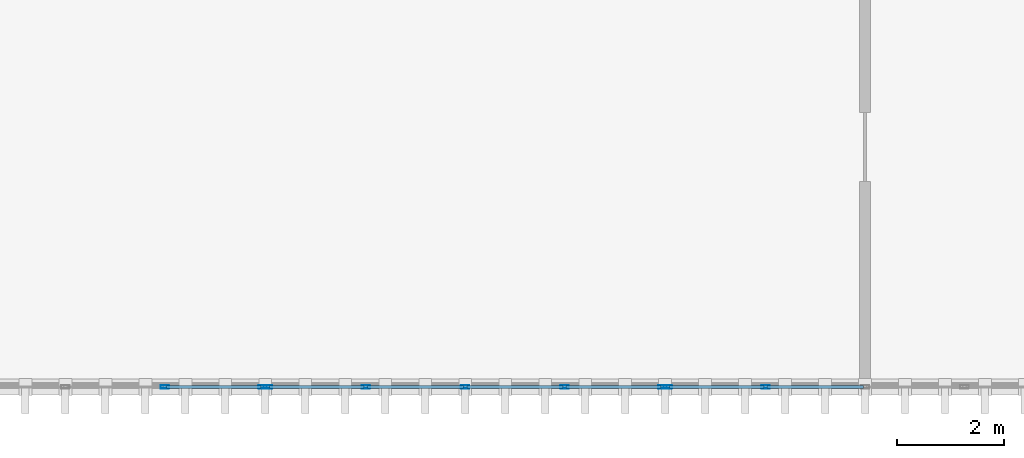
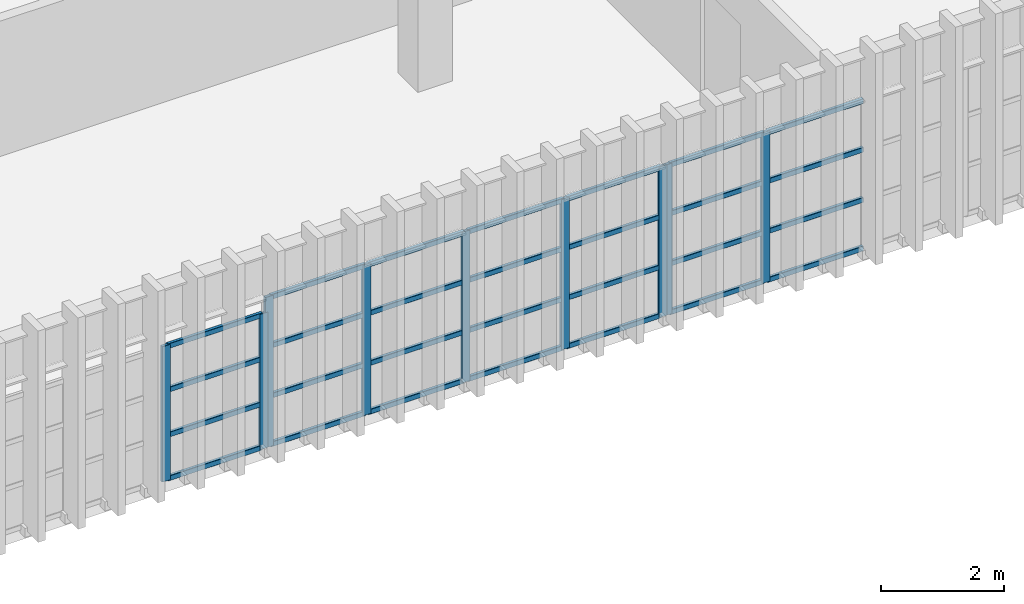
# One storey, part 10 of 51: 37 members, 3 elements without a shape of their own.
"""IFC4 building model written with IfcOpenShell, lengths in metres."""

from ifc_helpers import new_model, si_unit, direction, frame, origin, origin_2d, place, context, subcontext, project, spatial, hollow_rectangle, extrude, material, material_profile, profile_set, type_object, element, aggregate, save


model = new_model("IFC4")

# Units and contexts
model_context = context("Model", 3, precision=1e-05, world=origin(), true_north=direction((0.0, 1.0)))
body_context = subcontext(model_context, "Body", "Model", "MODEL_VIEW")
ifc_project = project(units=[si_unit("LENGTHUNIT", "METRE"), si_unit("AREAUNIT", "SQUARE_METRE"), si_unit("VOLUMEUNIT", "CUBIC_METRE"), si_unit("PLANEANGLEUNIT", "RADIAN"), si_unit("MASSUNIT", "GRAM", prefix="KILO")], contexts=[model_context])

# Site, building, storey
site_placement = place(None, origin())
site = spatial("IfcSite", under=ifc_project, at=site_placement, CompositionType="ELEMENT")
building_placement = place(site_placement, origin())
building = spatial("IfcBuilding", under=site, at=building_placement, Name="Qasida Concert Hall", CompositionType="ELEMENT")
storey_placement = place(building_placement, frame((0.0, 0.0, 21.0)))
storey = spatial("IfcBuildingStorey", under=building, at=storey_placement, Name="L05", CompositionType="ELEMENT", Elevation=21.0)

# Curtain wall, members
ifc_material_1 = material(Name="Architectural bronze-anodized aluminium and low-E glass", Category="aluminium")
curtain_wall_type = type_object("IfcCurtainWallType", Name="CW-05", PredefinedType="NOTDEFINED", material=ifc_material_1)
curtain_wall_1_placement = place(storey_placement, origin())
curtain_wall_1 = element("IfcCurtainWall", 1, at=curtain_wall_1_placement, inside=storey, type_object=curtain_wall_type, Name="L05 curtain wall CW-05 0030", PredefinedType="NOTDEFINED")
ifc_material_2 = material(Name="Architectural bronze-anodized aluminium EN AW-6063", Category="aluminium")
ifc_material_profile_1 = material_profile(ifc_material_2, hollow_rectangle(XDim=0.06005859375, YDim=0.159912109375, WallThickness=0.00390625, InnerFilletRadius=0.00390625, OuterFilletRadius=0.008056640625, at=origin_2d()), Name="CWM 160x60x4")
ifc_profile_set_1 = profile_set([ifc_material_profile_1], Name="Architectural bronze-anodized aluminium EN AW-6063")
member_type_1 = type_object("IfcMemberType", Name="MB-CWM-3", PredefinedType="MULLION", material=ifc_profile_set_1)
member_1_placement = place(storey_placement, frame((65.614990234375, 14.699951171875, 0.0), z_axis=(0.0, 0.0, 1.0), x_axis=(0.0, 1.0, 0.0)))
member_1 = element("IfcMember", 2, at=member_1_placement, type_object=member_type_1, Name="CW-05 mullion 4", PredefinedType="MULLION", context=body_context, shape_type="SweptSolid", body=[
    extrude(hollow_rectangle(XDim=0.06005859375, YDim=0.159912109375, WallThickness=0.00390625, InnerFilletRadius=0.00390625, OuterFilletRadius=0.008056640625, at=origin_2d()), origin(), (0.0, 0.0, 1.0), 2.68994140625),
])
member_2_placement = place(storey_placement, frame((67.449951171875, 14.699951171875, 0.0), z_axis=(0.0, 0.0, 1.0), x_axis=(0.0, 1.0, 0.0)))
member_2 = element("IfcMember", 3, at=member_2_placement, type_object=member_type_1, Name="CW-05 mullion 5", PredefinedType="MULLION", context=body_context, shape_type="SweptSolid", body=[
    extrude(hollow_rectangle(XDim=0.06005859375, YDim=0.159912109375, WallThickness=0.00390625, InnerFilletRadius=0.00390625, OuterFilletRadius=0.008056640625, at=origin_2d()), origin(), (0.0, 0.0, 1.0), 2.68994140625),
])

curtain_wall_2_placement = place(storey_placement, origin())
curtain_wall_2 = element("IfcCurtainWall", 4, at=curtain_wall_2_placement, inside=storey, type_object=curtain_wall_type, Name="L05 curtain wall CW-05 0031", PredefinedType="NOTDEFINED")
member_3_placement = place(storey_placement, frame((67.550048828125, 14.699951171875, 0.0), z_axis=(0.0, 0.0, 1.0), x_axis=(0.0, 1.0, 0.0)))
member_3 = element("IfcMember", 5, at=member_3_placement, type_object=member_type_1, Name="CW-05 mullion 1", PredefinedType="MULLION", context=body_context, shape_type="SweptSolid", body=[
    extrude(hollow_rectangle(XDim=0.06005859375, YDim=0.159912109375, WallThickness=0.00390625, InnerFilletRadius=0.00390625, OuterFilletRadius=0.008056640625, at=origin_2d()), origin(), (0.0, 0.0, 1.0), 2.989990234375),
])
member_4_placement = place(storey_placement, frame((69.385009765625, 14.699951171875, 0.0), z_axis=(0.0, 0.0, 1.0), x_axis=(0.0, 1.0, 0.0)))
member_4 = element("IfcMember", 6, at=member_4_placement, type_object=member_type_1, Name="CW-05 mullion 2", PredefinedType="MULLION", context=body_context, shape_type="SweptSolid", body=[
    extrude(hollow_rectangle(XDim=0.06005859375, YDim=0.159912109375, WallThickness=0.00390625, InnerFilletRadius=0.00390625, OuterFilletRadius=0.008056640625, at=origin_2d()), origin(), (0.0, 0.0, 1.0), 2.989990234375),
])
member_5_placement = place(storey_placement, frame((71.25, 14.699951171875, 0.0), z_axis=(0.0, 0.0, 1.0), x_axis=(0.0, 1.0, 0.0)))
member_5 = element("IfcMember", 7, at=member_5_placement, type_object=member_type_1, Name="CW-05 mullion 3", PredefinedType="MULLION", context=body_context, shape_type="SweptSolid", body=[
    extrude(hollow_rectangle(XDim=0.06005859375, YDim=0.159912109375, WallThickness=0.00390625, InnerFilletRadius=0.00390625, OuterFilletRadius=0.008056640625, at=origin_2d()), origin(), (0.0, 0.0, 1.0), 2.989990234375),
])
member_6_placement = place(storey_placement, frame((73.114990234375, 14.699951171875, 0.0), z_axis=(0.0, 0.0, 1.0), x_axis=(0.0, 1.0, 0.0)))
member_6 = element("IfcMember", 8, at=member_6_placement, type_object=member_type_1, Name="CW-05 mullion 4", PredefinedType="MULLION", context=body_context, shape_type="SweptSolid", body=[
    extrude(hollow_rectangle(XDim=0.06005859375, YDim=0.159912109375, WallThickness=0.00390625, InnerFilletRadius=0.00390625, OuterFilletRadius=0.008056640625, at=origin_2d()), origin(), (0.0, 0.0, 1.0), 2.989990234375),
])
member_7_placement = place(storey_placement, frame((74.949951171875, 14.699951171875, 0.0), z_axis=(0.0, 0.0, 1.0), x_axis=(0.0, 1.0, 0.0)))
member_7 = element("IfcMember", 9, at=member_7_placement, type_object=member_type_1, Name="CW-05 mullion 5", PredefinedType="MULLION", context=body_context, shape_type="SweptSolid", body=[
    extrude(hollow_rectangle(XDim=0.06005859375, YDim=0.159912109375, WallThickness=0.00390625, InnerFilletRadius=0.00390625, OuterFilletRadius=0.008056640625, at=origin_2d()), origin(), (0.0, 0.0, 1.0), 2.989990234375),
])

curtain_wall_3_placement = place(storey_placement, origin())
curtain_wall_3 = element("IfcCurtainWall", 10, at=curtain_wall_3_placement, inside=storey, type_object=curtain_wall_type, Name="L05 curtain wall CW-05 0032", PredefinedType="NOTDEFINED")
member_8_placement = place(storey_placement, frame((75.050048828125, 14.699951171875, 0.0), z_axis=(0.0, 0.0, 1.0), x_axis=(0.0, 1.0, 0.0)))
member_8 = element("IfcMember", 11, at=member_8_placement, type_object=member_type_1, Name="CW-05 mullion 1", PredefinedType="MULLION", context=body_context, shape_type="SweptSolid", body=[
    extrude(hollow_rectangle(XDim=0.06005859375, YDim=0.159912109375, WallThickness=0.00390625, InnerFilletRadius=0.00390625, OuterFilletRadius=0.008056640625, at=origin_2d()), origin(), (0.0, 0.0, 1.0), 2.989990234375),
])
member_9_placement = place(storey_placement, frame((76.885009765625, 14.699951171875, 0.0), z_axis=(0.0, 0.0, 1.0), x_axis=(0.0, 1.0, 0.0)))
member_9 = element("IfcMember", 12, at=member_9_placement, type_object=member_type_1, Name="CW-05 mullion 2", PredefinedType="MULLION", context=body_context, shape_type="SweptSolid", body=[
    extrude(hollow_rectangle(XDim=0.06005859375, YDim=0.159912109375, WallThickness=0.00390625, InnerFilletRadius=0.00390625, OuterFilletRadius=0.008056640625, at=origin_2d()), origin(), (0.0, 0.0, 1.0), 2.989990234375),
])

# Member
ifc_material_profile_2 = material_profile(ifc_material_2, hollow_rectangle(XDim=0.06005859375, YDim=0.10009765625, WallThickness=0.00341796875, InnerFilletRadius=0.00341796875, OuterFilletRadius=0.007080078125, at=origin_2d()), Name="CWT 100x60x3.5")
ifc_profile_set_2 = profile_set([ifc_material_profile_2], Name="Architectural bronze-anodized aluminium EN AW-6063")
member_type_2 = type_object("IfcMemberType", Name="MB-CWT-3", PredefinedType="USERDEFINED", material=ifc_profile_set_2)
member_10_placement = place(storey_placement, frame((65.64501953125, 14.699951171875, 0.030029296875), z_axis=(1.0, 0.0, 0.0), x_axis=(0.0, 1.0, 0.0)))
member_10 = element("IfcMember", 13, at=member_10_placement, type_object=member_type_2, Name="CW-05 transom 4.1", ObjectType="TRANSOM", PredefinedType="USERDEFINED", context=body_context, shape_type="SweptSolid", body=[
    extrude(hollow_rectangle(XDim=0.06005859375, YDim=0.10009765625, WallThickness=0.00341796875, InnerFilletRadius=0.00341796875, OuterFilletRadius=0.007080078125, at=origin_2d()), origin(), (0.0, 0.0, 1.0), 1.77490234375),
])

member_11_placement = place(storey_placement, frame((65.64501953125, 14.699951171875, 0.896728515625), z_axis=(1.0, 0.0, 0.0), x_axis=(0.0, 1.0, 0.0)))
member_11 = element("IfcMember", 14, at=member_11_placement, type_object=member_type_2, Name="CW-05 transom 4.2", ObjectType="TRANSOM", PredefinedType="USERDEFINED", context=body_context, shape_type="SweptSolid", body=[
    extrude(hollow_rectangle(XDim=0.06005859375, YDim=0.10009765625, WallThickness=0.00341796875, InnerFilletRadius=0.00341796875, OuterFilletRadius=0.007080078125, at=origin_2d()), origin(), (0.0, 0.0, 1.0), 1.77490234375),
])

member_12_placement = place(storey_placement, frame((65.64501953125, 14.699951171875, 1.793212890625), z_axis=(1.0, 0.0, 0.0), x_axis=(0.0, 1.0, 0.0)))
member_12 = element("IfcMember", 15, at=member_12_placement, type_object=member_type_2, Name="CW-05 transom 4.3", ObjectType="TRANSOM", PredefinedType="USERDEFINED", context=body_context, shape_type="SweptSolid", body=[
    extrude(hollow_rectangle(XDim=0.06005859375, YDim=0.10009765625, WallThickness=0.00341796875, InnerFilletRadius=0.00341796875, OuterFilletRadius=0.007080078125, at=origin_2d()), origin(), (0.0, 0.0, 1.0), 1.77490234375),
])

member_13_placement = place(storey_placement, frame((65.64501953125, 14.699951171875, 2.659912109375), z_axis=(1.0, 0.0, 0.0), x_axis=(0.0, 1.0, 0.0)))
member_13 = element("IfcMember", 16, at=member_13_placement, type_object=member_type_2, Name="CW-05 transom 4.4", ObjectType="TRANSOM", PredefinedType="USERDEFINED", context=body_context, shape_type="SweptSolid", body=[
    extrude(hollow_rectangle(XDim=0.06005859375, YDim=0.10009765625, WallThickness=0.00341796875, InnerFilletRadius=0.00341796875, OuterFilletRadius=0.007080078125, at=origin_2d()), origin(), (0.0, 0.0, 1.0), 1.77490234375),
])

aggregate(curtain_wall_1, [member_1, member_2, member_10, member_11, member_12, member_13])

member_14_placement = place(storey_placement, frame((67.580078125, 14.699951171875, 0.030029296875), z_axis=(1.0, 0.0, 0.0), x_axis=(0.0, 1.0, 0.0)))
member_14 = element("IfcMember", 17, at=member_14_placement, type_object=member_type_2, Name="CW-05 transom 1.1", ObjectType="TRANSOM", PredefinedType="USERDEFINED", context=body_context, shape_type="SweptSolid", body=[
    extrude(hollow_rectangle(XDim=0.06005859375, YDim=0.10009765625, WallThickness=0.00341796875, InnerFilletRadius=0.00341796875, OuterFilletRadius=0.007080078125, at=origin_2d()), origin(), (0.0, 0.0, 1.0), 1.77490234375),
])

member_15_placement = place(storey_placement, frame((67.580078125, 14.699951171875, 0.99658203125), z_axis=(1.0, 0.0, 0.0), x_axis=(0.0, 1.0, 0.0)))
member_15 = element("IfcMember", 18, at=member_15_placement, type_object=member_type_2, Name="CW-05 transom 1.2", ObjectType="TRANSOM", PredefinedType="USERDEFINED", context=body_context, shape_type="SweptSolid", body=[
    extrude(hollow_rectangle(XDim=0.06005859375, YDim=0.10009765625, WallThickness=0.00341796875, InnerFilletRadius=0.00341796875, OuterFilletRadius=0.007080078125, at=origin_2d()), origin(), (0.0, 0.0, 1.0), 1.77490234375),
])

member_16_placement = place(storey_placement, frame((67.580078125, 14.699951171875, 1.993408203125), z_axis=(1.0, 0.0, 0.0), x_axis=(0.0, 1.0, 0.0)))
member_16 = element("IfcMember", 19, at=member_16_placement, type_object=member_type_2, Name="CW-05 transom 1.3", ObjectType="TRANSOM", PredefinedType="USERDEFINED", context=body_context, shape_type="SweptSolid", body=[
    extrude(hollow_rectangle(XDim=0.06005859375, YDim=0.10009765625, WallThickness=0.00341796875, InnerFilletRadius=0.00341796875, OuterFilletRadius=0.007080078125, at=origin_2d()), origin(), (0.0, 0.0, 1.0), 1.77490234375),
])

member_17_placement = place(storey_placement, frame((67.580078125, 14.699951171875, 2.9599609375), z_axis=(1.0, 0.0, 0.0), x_axis=(0.0, 1.0, 0.0)))
member_17 = element("IfcMember", 20, at=member_17_placement, type_object=member_type_2, Name="CW-05 transom 1.4", ObjectType="TRANSOM", PredefinedType="USERDEFINED", context=body_context, shape_type="SweptSolid", body=[
    extrude(hollow_rectangle(XDim=0.06005859375, YDim=0.10009765625, WallThickness=0.00341796875, InnerFilletRadius=0.00341796875, OuterFilletRadius=0.007080078125, at=origin_2d()), origin(), (0.0, 0.0, 1.0), 1.77490234375),
])

member_18_placement = place(storey_placement, frame((69.4150390625, 14.699951171875, 0.030029296875), z_axis=(1.0, 0.0, 0.0), x_axis=(0.0, 1.0, 0.0)))
member_18 = element("IfcMember", 21, at=member_18_placement, type_object=member_type_2, Name="CW-05 transom 2.1", ObjectType="TRANSOM", PredefinedType="USERDEFINED", context=body_context, shape_type="SweptSolid", body=[
    extrude(hollow_rectangle(XDim=0.06005859375, YDim=0.10009765625, WallThickness=0.00341796875, InnerFilletRadius=0.00341796875, OuterFilletRadius=0.007080078125, at=origin_2d()), origin(), (0.0, 0.0, 1.0), 1.804931640625),
])

member_19_placement = place(storey_placement, frame((69.4150390625, 14.699951171875, 0.99658203125), z_axis=(1.0, 0.0, 0.0), x_axis=(0.0, 1.0, 0.0)))
member_19 = element("IfcMember", 22, at=member_19_placement, type_object=member_type_2, Name="CW-05 transom 2.2", ObjectType="TRANSOM", PredefinedType="USERDEFINED", context=body_context, shape_type="SweptSolid", body=[
    extrude(hollow_rectangle(XDim=0.06005859375, YDim=0.10009765625, WallThickness=0.00341796875, InnerFilletRadius=0.00341796875, OuterFilletRadius=0.007080078125, at=origin_2d()), origin(), (0.0, 0.0, 1.0), 1.804931640625),
])

member_20_placement = place(storey_placement, frame((69.4150390625, 14.699951171875, 1.993408203125), z_axis=(1.0, 0.0, 0.0), x_axis=(0.0, 1.0, 0.0)))
member_20 = element("IfcMember", 23, at=member_20_placement, type_object=member_type_2, Name="CW-05 transom 2.3", ObjectType="TRANSOM", PredefinedType="USERDEFINED", context=body_context, shape_type="SweptSolid", body=[
    extrude(hollow_rectangle(XDim=0.06005859375, YDim=0.10009765625, WallThickness=0.00341796875, InnerFilletRadius=0.00341796875, OuterFilletRadius=0.007080078125, at=origin_2d()), origin(), (0.0, 0.0, 1.0), 1.804931640625),
])

member_21_placement = place(storey_placement, frame((69.4150390625, 14.699951171875, 2.9599609375), z_axis=(1.0, 0.0, 0.0), x_axis=(0.0, 1.0, 0.0)))
member_21 = element("IfcMember", 24, at=member_21_placement, type_object=member_type_2, Name="CW-05 transom 2.4", ObjectType="TRANSOM", PredefinedType="USERDEFINED", context=body_context, shape_type="SweptSolid", body=[
    extrude(hollow_rectangle(XDim=0.06005859375, YDim=0.10009765625, WallThickness=0.00341796875, InnerFilletRadius=0.00341796875, OuterFilletRadius=0.007080078125, at=origin_2d()), origin(), (0.0, 0.0, 1.0), 1.804931640625),
])

member_22_placement = place(storey_placement, frame((71.280029296875, 14.699951171875, 0.030029296875), z_axis=(1.0, 0.0, 0.0), x_axis=(0.0, 1.0, 0.0)))
member_22 = element("IfcMember", 25, at=member_22_placement, type_object=member_type_2, Name="CW-05 transom 3.1", ObjectType="TRANSOM", PredefinedType="USERDEFINED", context=body_context, shape_type="SweptSolid", body=[
    extrude(hollow_rectangle(XDim=0.06005859375, YDim=0.10009765625, WallThickness=0.00341796875, InnerFilletRadius=0.00341796875, OuterFilletRadius=0.007080078125, at=origin_2d()), origin(), (0.0, 0.0, 1.0), 1.804931640625),
])

member_23_placement = place(storey_placement, frame((71.280029296875, 14.699951171875, 0.99658203125), z_axis=(1.0, 0.0, 0.0), x_axis=(0.0, 1.0, 0.0)))
member_23 = element("IfcMember", 26, at=member_23_placement, type_object=member_type_2, Name="CW-05 transom 3.2", ObjectType="TRANSOM", PredefinedType="USERDEFINED", context=body_context, shape_type="SweptSolid", body=[
    extrude(hollow_rectangle(XDim=0.06005859375, YDim=0.10009765625, WallThickness=0.00341796875, InnerFilletRadius=0.00341796875, OuterFilletRadius=0.007080078125, at=origin_2d()), origin(), (0.0, 0.0, 1.0), 1.804931640625),
])

member_24_placement = place(storey_placement, frame((71.280029296875, 14.699951171875, 1.993408203125), z_axis=(1.0, 0.0, 0.0), x_axis=(0.0, 1.0, 0.0)))
member_24 = element("IfcMember", 27, at=member_24_placement, type_object=member_type_2, Name="CW-05 transom 3.3", ObjectType="TRANSOM", PredefinedType="USERDEFINED", context=body_context, shape_type="SweptSolid", body=[
    extrude(hollow_rectangle(XDim=0.06005859375, YDim=0.10009765625, WallThickness=0.00341796875, InnerFilletRadius=0.00341796875, OuterFilletRadius=0.007080078125, at=origin_2d()), origin(), (0.0, 0.0, 1.0), 1.804931640625),
])

member_25_placement = place(storey_placement, frame((71.280029296875, 14.699951171875, 2.9599609375), z_axis=(1.0, 0.0, 0.0), x_axis=(0.0, 1.0, 0.0)))
member_25 = element("IfcMember", 28, at=member_25_placement, type_object=member_type_2, Name="CW-05 transom 3.4", ObjectType="TRANSOM", PredefinedType="USERDEFINED", context=body_context, shape_type="SweptSolid", body=[
    extrude(hollow_rectangle(XDim=0.06005859375, YDim=0.10009765625, WallThickness=0.00341796875, InnerFilletRadius=0.00341796875, OuterFilletRadius=0.007080078125, at=origin_2d()), origin(), (0.0, 0.0, 1.0), 1.804931640625),
])

member_26_placement = place(storey_placement, frame((73.14501953125, 14.699951171875, 0.030029296875), z_axis=(1.0, 0.0, 0.0), x_axis=(0.0, 1.0, 0.0)))
member_26 = element("IfcMember", 29, at=member_26_placement, type_object=member_type_2, Name="CW-05 transom 4.1", ObjectType="TRANSOM", PredefinedType="USERDEFINED", context=body_context, shape_type="SweptSolid", body=[
    extrude(hollow_rectangle(XDim=0.06005859375, YDim=0.10009765625, WallThickness=0.00341796875, InnerFilletRadius=0.00341796875, OuterFilletRadius=0.007080078125, at=origin_2d()), origin(), (0.0, 0.0, 1.0), 1.77490234375),
])

member_27_placement = place(storey_placement, frame((73.14501953125, 14.699951171875, 0.99658203125), z_axis=(1.0, 0.0, 0.0), x_axis=(0.0, 1.0, 0.0)))
member_27 = element("IfcMember", 30, at=member_27_placement, type_object=member_type_2, Name="CW-05 transom 4.2", ObjectType="TRANSOM", PredefinedType="USERDEFINED", context=body_context, shape_type="SweptSolid", body=[
    extrude(hollow_rectangle(XDim=0.06005859375, YDim=0.10009765625, WallThickness=0.00341796875, InnerFilletRadius=0.00341796875, OuterFilletRadius=0.007080078125, at=origin_2d()), origin(), (0.0, 0.0, 1.0), 1.77490234375),
])

member_28_placement = place(storey_placement, frame((73.14501953125, 14.699951171875, 1.993408203125), z_axis=(1.0, 0.0, 0.0), x_axis=(0.0, 1.0, 0.0)))
member_28 = element("IfcMember", 31, at=member_28_placement, type_object=member_type_2, Name="CW-05 transom 4.3", ObjectType="TRANSOM", PredefinedType="USERDEFINED", context=body_context, shape_type="SweptSolid", body=[
    extrude(hollow_rectangle(XDim=0.06005859375, YDim=0.10009765625, WallThickness=0.00341796875, InnerFilletRadius=0.00341796875, OuterFilletRadius=0.007080078125, at=origin_2d()), origin(), (0.0, 0.0, 1.0), 1.77490234375),
])

member_29_placement = place(storey_placement, frame((73.14501953125, 14.699951171875, 2.9599609375), z_axis=(1.0, 0.0, 0.0), x_axis=(0.0, 1.0, 0.0)))
member_29 = element("IfcMember", 32, at=member_29_placement, type_object=member_type_2, Name="CW-05 transom 4.4", ObjectType="TRANSOM", PredefinedType="USERDEFINED", context=body_context, shape_type="SweptSolid", body=[
    extrude(hollow_rectangle(XDim=0.06005859375, YDim=0.10009765625, WallThickness=0.00341796875, InnerFilletRadius=0.00341796875, OuterFilletRadius=0.007080078125, at=origin_2d()), origin(), (0.0, 0.0, 1.0), 1.77490234375),
])

aggregate(curtain_wall_2, [member_3, member_4, member_5, member_6, member_7, member_14, member_15, member_16, member_17, member_18, member_19, member_20, member_21, member_22, member_23, member_24, member_25, member_26, member_27, member_28, member_29])

member_30_placement = place(storey_placement, frame((75.080078125, 14.699951171875, 0.030029296875), z_axis=(1.0, 0.0, 0.0), x_axis=(0.0, 1.0, 0.0)))
member_30 = element("IfcMember", 33, at=member_30_placement, type_object=member_type_2, Name="CW-05 transom 1.1", ObjectType="TRANSOM", PredefinedType="USERDEFINED", context=body_context, shape_type="SweptSolid", body=[
    extrude(hollow_rectangle(XDim=0.06005859375, YDim=0.10009765625, WallThickness=0.00341796875, InnerFilletRadius=0.00341796875, OuterFilletRadius=0.007080078125, at=origin_2d()), origin(), (0.0, 0.0, 1.0), 1.77490234375),
])

member_31_placement = place(storey_placement, frame((75.080078125, 14.699951171875, 0.99658203125), z_axis=(1.0, 0.0, 0.0), x_axis=(0.0, 1.0, 0.0)))
member_31 = element("IfcMember", 34, at=member_31_placement, type_object=member_type_2, Name="CW-05 transom 1.2", ObjectType="TRANSOM", PredefinedType="USERDEFINED", context=body_context, shape_type="SweptSolid", body=[
    extrude(hollow_rectangle(XDim=0.06005859375, YDim=0.10009765625, WallThickness=0.00341796875, InnerFilletRadius=0.00341796875, OuterFilletRadius=0.007080078125, at=origin_2d()), origin(), (0.0, 0.0, 1.0), 1.77490234375),
])

member_32_placement = place(storey_placement, frame((75.080078125, 14.699951171875, 1.993408203125), z_axis=(1.0, 0.0, 0.0), x_axis=(0.0, 1.0, 0.0)))
member_32 = element("IfcMember", 35, at=member_32_placement, type_object=member_type_2, Name="CW-05 transom 1.3", ObjectType="TRANSOM", PredefinedType="USERDEFINED", context=body_context, shape_type="SweptSolid", body=[
    extrude(hollow_rectangle(XDim=0.06005859375, YDim=0.10009765625, WallThickness=0.00341796875, InnerFilletRadius=0.00341796875, OuterFilletRadius=0.007080078125, at=origin_2d()), origin(), (0.0, 0.0, 1.0), 1.77490234375),
])

member_33_placement = place(storey_placement, frame((75.080078125, 14.699951171875, 2.9599609375), z_axis=(1.0, 0.0, 0.0), x_axis=(0.0, 1.0, 0.0)))
member_33 = element("IfcMember", 36, at=member_33_placement, type_object=member_type_2, Name="CW-05 transom 1.4", ObjectType="TRANSOM", PredefinedType="USERDEFINED", context=body_context, shape_type="SweptSolid", body=[
    extrude(hollow_rectangle(XDim=0.06005859375, YDim=0.10009765625, WallThickness=0.00341796875, InnerFilletRadius=0.00341796875, OuterFilletRadius=0.007080078125, at=origin_2d()), origin(), (0.0, 0.0, 1.0), 1.77490234375),
])

member_34_placement = place(storey_placement, frame((76.9150390625, 14.699951171875, 0.030029296875), z_axis=(1.0, 0.0, 0.0), x_axis=(0.0, 1.0, 0.0)))
member_34 = element("IfcMember", 37, at=member_34_placement, type_object=member_type_2, Name="CW-05 transom 2.1", ObjectType="TRANSOM", PredefinedType="USERDEFINED", context=body_context, shape_type="SweptSolid", body=[
    extrude(hollow_rectangle(XDim=0.06005859375, YDim=0.10009765625, WallThickness=0.00341796875, InnerFilletRadius=0.00341796875, OuterFilletRadius=0.007080078125, at=origin_2d()), origin(), (0.0, 0.0, 1.0), 1.804931640625),
])

member_35_placement = place(storey_placement, frame((76.9150390625, 14.699951171875, 0.99658203125), z_axis=(1.0, 0.0, 0.0), x_axis=(0.0, 1.0, 0.0)))
member_35 = element("IfcMember", 38, at=member_35_placement, type_object=member_type_2, Name="CW-05 transom 2.2", ObjectType="TRANSOM", PredefinedType="USERDEFINED", context=body_context, shape_type="SweptSolid", body=[
    extrude(hollow_rectangle(XDim=0.06005859375, YDim=0.10009765625, WallThickness=0.00341796875, InnerFilletRadius=0.00341796875, OuterFilletRadius=0.007080078125, at=origin_2d()), origin(), (0.0, 0.0, 1.0), 1.804931640625),
])

member_36_placement = place(storey_placement, frame((76.9150390625, 14.699951171875, 1.993408203125), z_axis=(1.0, 0.0, 0.0), x_axis=(0.0, 1.0, 0.0)))
member_36 = element("IfcMember", 39, at=member_36_placement, type_object=member_type_2, Name="CW-05 transom 2.3", ObjectType="TRANSOM", PredefinedType="USERDEFINED", context=body_context, shape_type="SweptSolid", body=[
    extrude(hollow_rectangle(XDim=0.06005859375, YDim=0.10009765625, WallThickness=0.00341796875, InnerFilletRadius=0.00341796875, OuterFilletRadius=0.007080078125, at=origin_2d()), origin(), (0.0, 0.0, 1.0), 1.804931640625),
])

member_37_placement = place(storey_placement, frame((76.9150390625, 14.699951171875, 2.9599609375), z_axis=(1.0, 0.0, 0.0), x_axis=(0.0, 1.0, 0.0)))
member_37 = element("IfcMember", 40, at=member_37_placement, type_object=member_type_2, Name="CW-05 transom 2.4", ObjectType="TRANSOM", PredefinedType="USERDEFINED", context=body_context, shape_type="SweptSolid", body=[
    extrude(hollow_rectangle(XDim=0.06005859375, YDim=0.10009765625, WallThickness=0.00341796875, InnerFilletRadius=0.00341796875, OuterFilletRadius=0.007080078125, at=origin_2d()), origin(), (0.0, 0.0, 1.0), 1.804931640625),
])

aggregate(curtain_wall_3, [member_8, member_9, member_30, member_31, member_32, member_33, member_34, member_35, member_36, member_37])

save(model, "model.ifc")
